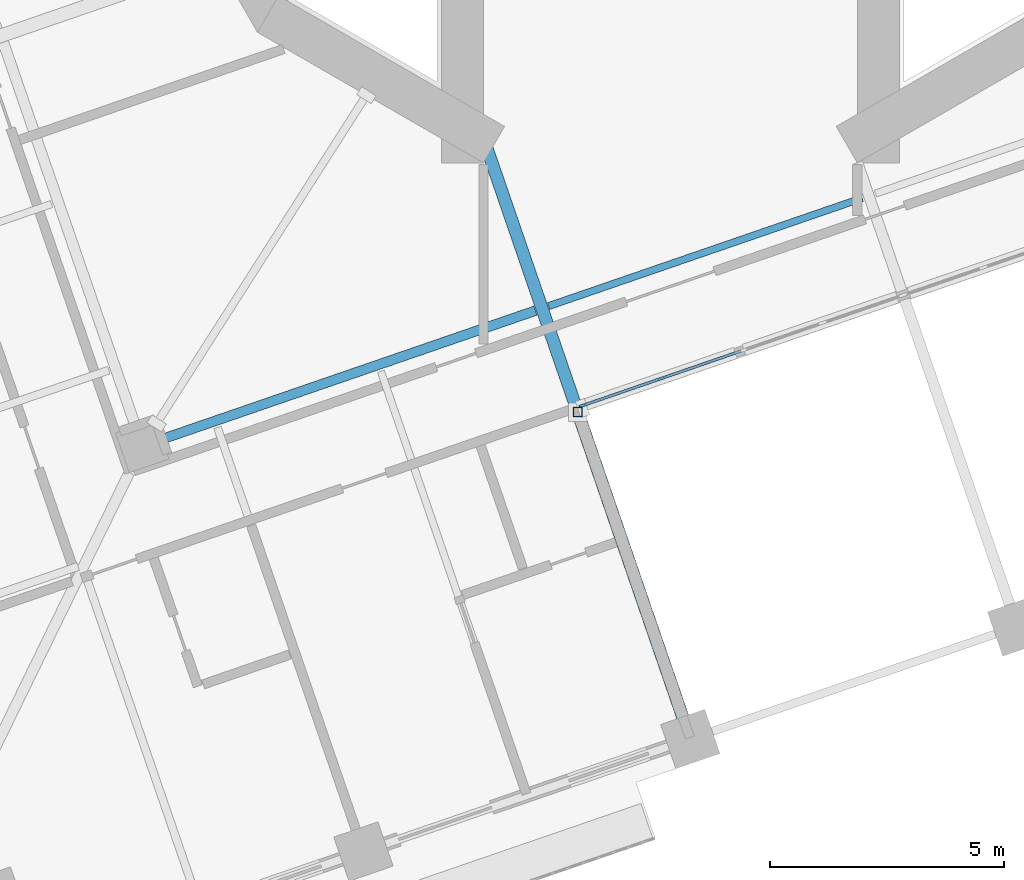
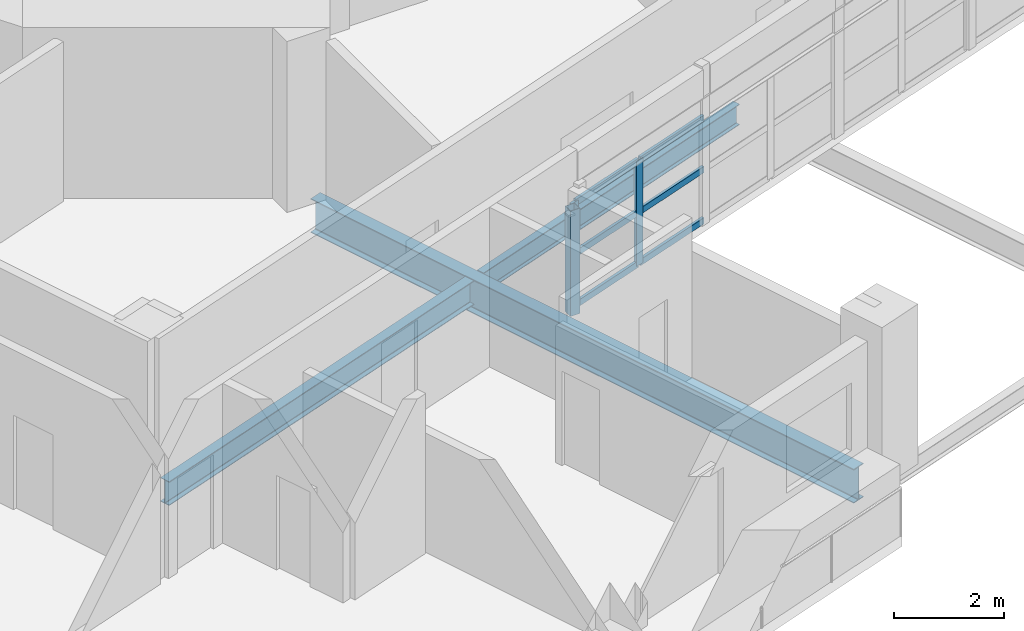
# One storey, part 2 of 22: 9 members, 3 beams, 1 element without a shape of its own.
"""IFC4 building model written with IfcOpenShell, lengths in metres."""

from ifc_helpers import new_model, si_unit, direction, frame, origin, origin_2d, place, context, subcontext, project, spatial, rectangle, hollow_rectangle, i_section, extrude, material, material_profile, profile_set, type_object, element, aggregate, save


model = new_model("IFC4")

# Units and contexts
model_context = context("Model", 3, precision=1e-05, world=origin(), true_north=direction((0.0, 1.0)))
body_context = subcontext(model_context, "Body", "Model", "MODEL_VIEW")
ifc_project = project(units=[si_unit("LENGTHUNIT", "METRE"), si_unit("AREAUNIT", "SQUARE_METRE"), si_unit("VOLUMEUNIT", "CUBIC_METRE"), si_unit("PLANEANGLEUNIT", "RADIAN"), si_unit("MASSUNIT", "GRAM", prefix="KILO")], contexts=[model_context])

# Site, building, storey
site_placement = place(None, origin())
site = spatial("IfcSite", under=ifc_project, at=site_placement, CompositionType="ELEMENT")
building_placement = place(site_placement, origin())
building = spatial("IfcBuilding", under=site, at=building_placement, Name="Cantera Rosa Tower", CompositionType="ELEMENT")
storey_placement = place(building_placement, frame((0.0, 0.0, 107.89990234375)))
storey = spatial("IfcBuildingStorey", under=building, at=storey_placement, Name="L21", CompositionType="ELEMENT", Elevation=107.89990234375)

# Curtain wall, members
ifc_material_1 = material(Name="Aluminium frame with clear glass", Category="aluminium")
curtain_wall_type = type_object("IfcCurtainWallType", Name="CW1 TERRACE POCKET GLAZING", PredefinedType="NOTDEFINED", material=ifc_material_1)
curtain_wall_placement = place(storey_placement, origin())
curtain_wall = element("IfcCurtainWall", 1, at=curtain_wall_placement, inside=storey, type_object=curtain_wall_type, Name="CW1 CW1", PredefinedType="NOTDEFINED")
ifc_material_2 = material(Name="Anodised bronze aluminium", Category="aluminium")
ifc_material_profile_1 = material_profile(ifc_material_2, rectangle(XDim=0.06005859375, YDim=0.179931640625, at=origin_2d()), Name="CW-MULLION 60x180 POCKET")
ifc_profile_set_1 = profile_set([ifc_material_profile_1], Name="Anodised bronze aluminium")
member_type_1 = type_object("IfcMemberType", Name="CW-MULLION 60x180 POCKET", PredefinedType="MULLION", material=ifc_profile_set_1)
member_1_placement = place(storey_placement, frame((-1.869140625, -16.8251953125, 0.0), z_axis=(0.0, 0.0, 1.0), x_axis=(-0.325568154441, 0.945518575605, 0.0)))
member_1 = element("IfcMember", 2, at=member_1_placement, type_object=member_type_1, Name="CW1 mullion 1", PredefinedType="MULLION", context=body_context, shape_type="SweptSolid", body=[
    extrude(rectangle(XDim=0.06005859375, YDim=0.179931640625, at=origin_2d()), origin(), (0.0, 0.0, 1.0), 2.338134765625),
])
member_2_placement = place(storey_placement, frame((-0.177734375, -16.242919921875, 0.0), z_axis=(0.0, 0.0, 1.0), x_axis=(-0.325568154441, 0.945518575605, 0.0)))
member_2 = element("IfcMember", 3, at=member_2_placement, type_object=member_type_1, Name="CW1 mullion 2", PredefinedType="MULLION", context=body_context, shape_type="SweptSolid", body=[
    extrude(rectangle(XDim=0.06005859375, YDim=0.179931640625, at=origin_2d()), origin(), (0.0, 0.0, 1.0), 2.338134765625),
])
ifc_material_3 = material(Name="Anodised bronze aluminium", Category="aluminium")
ifc_material_profile_2 = material_profile(ifc_material_3, rectangle(XDim=0.06005859375, YDim=0.139892578125, at=origin_2d()), Name="CW-TRANSOM 60x140 POCKET")
ifc_profile_set_2 = profile_set([ifc_material_profile_2], Name="Anodised bronze aluminium")
member_type_2 = type_object("IfcMemberType", Name="CW-TRANSOM 60x140 POCKET", PredefinedType="USERDEFINED", material=ifc_profile_set_2)
member_3_placement = place(storey_placement, frame((-1.8408203125, -16.8154296875, 0.030029296875), z_axis=(0.945545423079, 0.325490173267, 0.0), x_axis=(-0.325490173267, 0.945545423079, 0.0)))
member_3 = element("IfcMember", 4, at=member_3_placement, type_object=member_type_2, Name="CW1 transom 1.1", ObjectType="TRANSOM", PredefinedType="USERDEFINED", context=body_context, shape_type="SweptSolid", body=[
    extrude(rectangle(XDim=0.06005859375, YDim=0.139892578125, at=origin_2d()), origin(), (0.0, 0.0, 1.0), 1.72900390625),
])
member_4_placement = place(storey_placement, frame((-1.8408203125, -16.8154296875, 1.169189453125), z_axis=(0.945545423079, 0.325490173267, 0.0), x_axis=(-0.325490173267, 0.945545423079, 0.0)))
member_4 = element("IfcMember", 5, at=member_4_placement, type_object=member_type_2, Name="CW1 transom 1.2", ObjectType="TRANSOM", PredefinedType="USERDEFINED", context=body_context, shape_type="SweptSolid", body=[
    extrude(rectangle(XDim=0.06005859375, YDim=0.139892578125, at=origin_2d()), origin(), (0.0, 0.0, 1.0), 1.72900390625),
])
member_5_placement = place(storey_placement, frame((-1.8408203125, -16.8154296875, 2.30810546875), z_axis=(0.945545423079, 0.325490173267, 0.0), x_axis=(-0.325490173267, 0.945545423079, 0.0)))
member_5 = element("IfcMember", 6, at=member_5_placement, type_object=member_type_2, Name="CW1 transom 1.3", ObjectType="TRANSOM", PredefinedType="USERDEFINED", context=body_context, shape_type="SweptSolid", body=[
    extrude(rectangle(XDim=0.06005859375, YDim=0.139892578125, at=origin_2d()), origin(), (0.0, 0.0, 1.0), 1.72900390625),
])
member_6_placement = place(storey_placement, frame((-0.1494140625, -16.233154296875, 0.030029296875), z_axis=(0.945485041755, 0.325665527523, 0.0), x_axis=(-0.325665527523, 0.945485041755, 0.0)))
member_6 = element("IfcMember", 7, at=member_6_placement, type_object=member_type_2, Name="CW1 transom 2.1", ObjectType="TRANSOM", PredefinedType="USERDEFINED", context=body_context, shape_type="SweptSolid", body=[
    extrude(rectangle(XDim=0.06005859375, YDim=0.139892578125, at=origin_2d()), origin(), (0.0, 0.0, 1.0), 1.7587890625),
])
member_7_placement = place(storey_placement, frame((-0.1494140625, -16.233154296875, 1.169189453125), z_axis=(0.945485041755, 0.325665527523, 0.0), x_axis=(-0.325665527523, 0.945485041755, 0.0)))
member_7 = element("IfcMember", 8, at=member_7_placement, type_object=member_type_2, Name="CW1 transom 2.2", ObjectType="TRANSOM", PredefinedType="USERDEFINED", context=body_context, shape_type="SweptSolid", body=[
    extrude(rectangle(XDim=0.06005859375, YDim=0.139892578125, at=origin_2d()), origin(), (0.0, 0.0, 1.0), 1.7587890625),
])
member_8_placement = place(storey_placement, frame((-0.1494140625, -16.233154296875, 2.30810546875), z_axis=(0.945485041755, 0.325665527523, 0.0), x_axis=(-0.325665527523, 0.945485041755, 0.0)))
member_8 = element("IfcMember", 9, at=member_8_placement, type_object=member_type_2, Name="CW1 transom 2.3", ObjectType="TRANSOM", PredefinedType="USERDEFINED", context=body_context, shape_type="SweptSolid", body=[
    extrude(rectangle(XDim=0.06005859375, YDim=0.139892578125, at=origin_2d()), origin(), (0.0, 0.0, 1.0), 1.7587890625),
])
aggregate(curtain_wall, [member_1, member_2, member_3, member_4, member_5, member_6, member_7, member_8])

# Member
ifc_material_4 = material(Name="Steel ASTM A992 (Fy 345 MPa)", Category="steel")
ifc_material_profile_3 = material_profile(ifc_material_4, hollow_rectangle(XDim=0.199951171875, YDim=0.199951171875, WallThickness=0.010009765625, at=origin_2d()), Name="LINTEL POST RHS 200x200x10")
ifc_profile_set_3 = profile_set([ifc_material_profile_3], Name="Steel ASTM A992 (Fy 345 MPa)")
member_type_3 = type_object("IfcMemberType", Name="LINTEL POST RHS 200x200x10", PredefinedType="USERDEFINED", material=ifc_profile_set_3)
member_9_placement = place(storey_placement, frame((-1.983154296875, -16.97021484375, 0.0), z_axis=(0.0, 0.0, 1.0), x_axis=(1.0, 0.0, 0.0)))
element("IfcMember", 10, at=member_9_placement, inside=storey, type_object=member_type_3, Name="LINTEL POST L21-1", ObjectType="LINTEL POST", PredefinedType="USERDEFINED", context=body_context, shape_type="SweptSolid", body=[
    extrude(hollow_rectangle(XDim=0.199951171875, YDim=0.199951171875, WallThickness=0.010009765625, at=origin_2d()), origin(), (0.0, 0.0, 1.0), 2.340087890625),
])

# Beams
ifc_material_5 = material(Name="Steel ASTM A992 (Fy 345 MPa)", Category="steel")
ifc_material_profile_4 = material_profile(ifc_material_5, i_section(OverallWidth=0.154052734375, OverallDepth=0.4599609375, WebThickness=0.009033203125, FlangeThickness=0.015380859375, FilletRadius=0.01025390625, at=origin_2d()), Name="W460X68")
ifc_profile_set_4 = profile_set([ifc_material_profile_4], Name="Steel ASTM A992 (Fy 345 MPa)")
beam_type_1 = type_object("IfcBeamType", Name="STEEL BEAM W460X68", PredefinedType="BEAM", material=ifc_profile_set_4)
beam_1_placement = place(storey_placement, frame((-2.6064453125, -14.699462890625, -0.47998046875), z_axis=(0.9455219702, 0.325558295653, 0.0), x_axis=(-0.325558295653, 0.9455219702, 0.0)))
element("IfcBeam", 11, at=beam_1_placement, inside=storey, type_object=beam_type_1, Name="RB-Z2-06 L21", PredefinedType="BEAM", context=body_context, shape_type="SweptSolid", body=[
    extrude(i_section(OverallWidth=0.154052734375, OverallDepth=0.4599609375, WebThickness=0.009033203125, FlangeThickness=0.015380859375, FilletRadius=0.01025390625, at=origin_2d()), origin(), (0.0, 0.0, 1.0), 7.10009765625),
])
ifc_material_6 = material(Name="Steel ASTM A992 (Fy 345 MPa)", Category="steel")
ifc_material_profile_5 = material_profile(ifc_material_6, i_section(OverallWidth=0.208984375, OverallDepth=0.532958984375, WebThickness=0.01025390625, FlangeThickness=0.015625, FilletRadius=0.0126953125, at=origin_2d()), Name="W530X92")
ifc_profile_set_5 = profile_set([ifc_material_profile_5], Name="Steel ASTM A992 (Fy 345 MPa)")
beam_type_2 = type_object("IfcBeamType", Name="STEEL BEAM W530X92", PredefinedType="BEAM", material=ifc_profile_set_5)
beam_2_placement = place(storey_placement, frame((-10.879638671875, -17.548095703125, -0.516357421875), z_axis=(0.945522715377, 0.325556131421, 0.0), x_axis=(-0.325556131421, 0.945522715377, 0.0)))
element("IfcBeam", 12, at=beam_2_placement, inside=storey, type_object=beam_type_2, Name="RB-Z2-05 L21", PredefinedType="BEAM", context=body_context, shape_type="SweptSolid", body=[
    extrude(i_section(OverallWidth=0.208984375, OverallDepth=0.532958984375, WebThickness=0.01025390625, FlangeThickness=0.015625, FilletRadius=0.0126953125, at=origin_2d()), origin(), (0.0, 0.0, 1.0), 8.4501953125),
])
ifc_material_7 = material(Name="Steel ASTM A992 (Fy 345 MPa)", Category="steel")
ifc_material_profile_6 = material_profile(ifc_material_7, i_section(OverallWidth=0.26708984375, OverallDepth=0.75390625, WebThickness=0.01318359375, FlangeThickness=0.01708984375, FilletRadius=0.0166015625, at=origin_2d()), Name="W760X147")
ifc_profile_set_6 = profile_set([ifc_material_profile_6], Name="Steel ASTM A992 (Fy 345 MPa)")
beam_type_3 = type_object("IfcBeamType", Name="STEEL BEAM W760X147", PredefinedType="BEAM", material=ifc_profile_set_6)
beam_3_placement = place(storey_placement, frame((0.263427734375, -23.494384765625, -0.626953125), z_axis=(-0.325569500581, 0.945518112091, 0.0), x_axis=(-0.945518112091, -0.325569500581, 0.0)))
element("IfcBeam", 13, at=beam_3_placement, inside=storey, type_object=beam_type_3, Name="G-Z2-11 L21", PredefinedType="BEAM", context=body_context, shape_type="SweptSolid", body=[
    extrude(i_section(OverallWidth=0.26708984375, OverallDepth=0.75390625, WebThickness=0.01318359375, FlangeThickness=0.01708984375, FilletRadius=0.0166015625, at=origin_2d()), origin(), (0.0, 0.0, 1.0), 13.09521484375),
])

save(model, "model.ifc")
